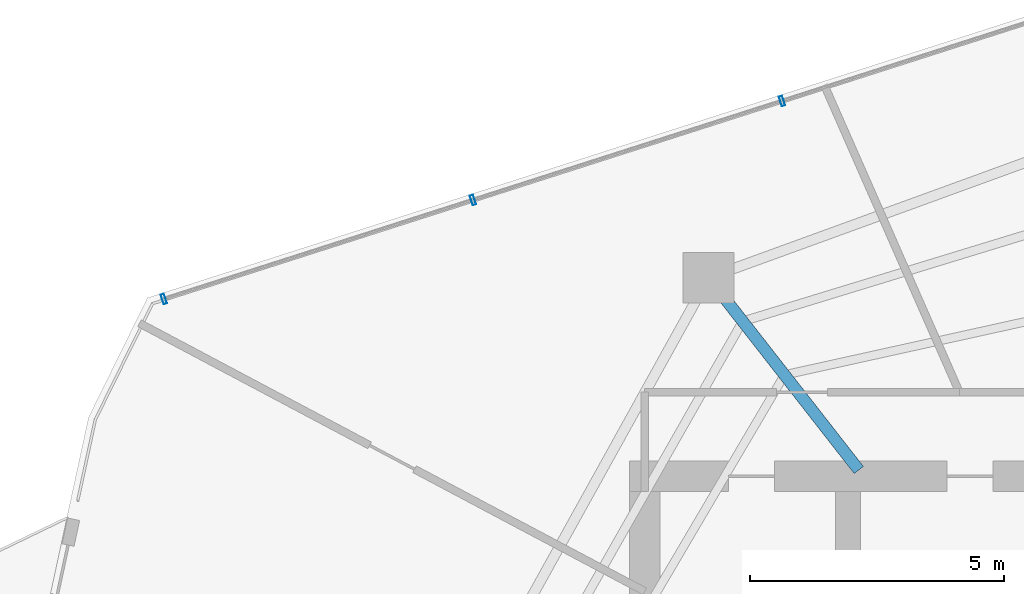
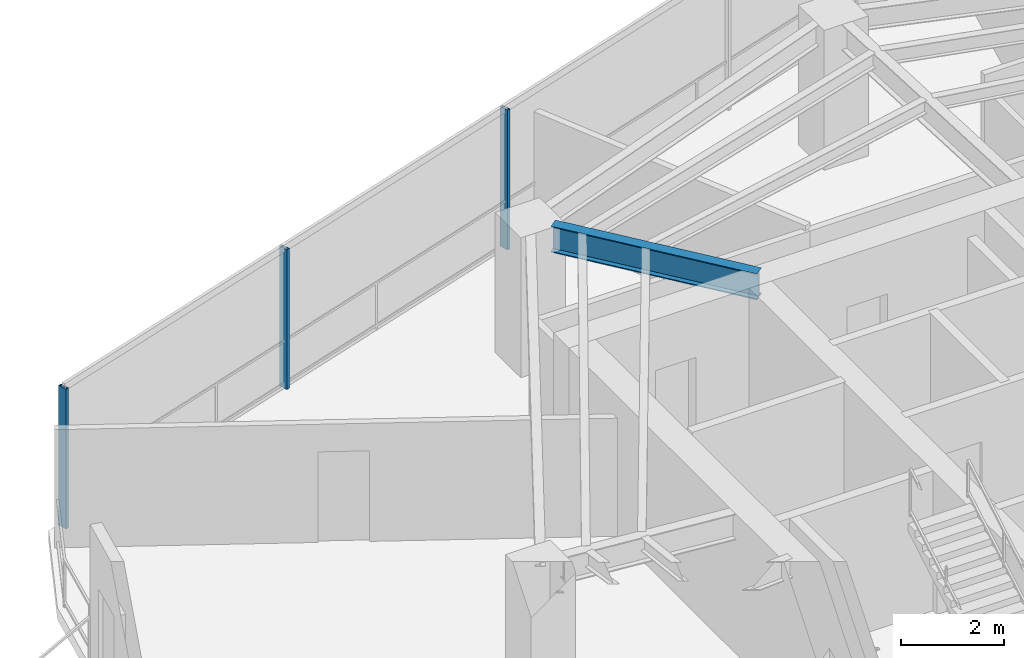
# One storey, part 12 of 21: 3 members, 1 beam, 1 element without a shape of its own.
"""IFC4 building model written with IfcOpenShell, lengths in metres."""

from ifc_helpers import new_model, si_unit, direction, frame, origin, origin_2d, place, context, subcontext, project, spatial, hollow_rectangle, i_section, extrude, material, layer, layer_set, material_profile, profile_set, type_object, element, aggregate, save


model = new_model("IFC4")

# Units and contexts
model_context = context("Model", 3, precision=1e-05, world=origin(), true_north=direction((0.0, 1.0)))
body_context = subcontext(model_context, "Body", "Model", "MODEL_VIEW")
ifc_project = project(units=[si_unit("LENGTHUNIT", "METRE"), si_unit("AREAUNIT", "SQUARE_METRE"), si_unit("VOLUMEUNIT", "CUBIC_METRE"), si_unit("PLANEANGLEUNIT", "RADIAN"), si_unit("MASSUNIT", "GRAM", prefix="KILO")], contexts=[model_context])

# Site, building, storey
site_placement = place(None, origin())
site = spatial("IfcSite", under=ifc_project, at=site_placement, CompositionType="ELEMENT")
building_placement = place(site_placement, origin())
building = spatial("IfcBuilding", under=site, at=building_placement, Name="Qarnah Convention Tower", CompositionType="ELEMENT")
storey_placement = place(building_placement, frame((0.0, 0.0, 132.89990234375)))
storey = spatial("IfcBuildingStorey", under=building, at=storey_placement, Name="L35", CompositionType="ELEMENT", Elevation=132.89990234375)

# Beam
ifc_material_1 = material(Name="Structural steel S355JR", Category="steel")
ifc_material_profile_1 = material_profile(ifc_material_1, i_section(OverallWidth=0.22998046875, OverallDepth=0.617919921875, WebThickness=0.012939453125, FlangeThickness=0.02197265625, at=origin_2d()), Name="W610X140")
ifc_profile_set_1 = profile_set([ifc_material_profile_1], Name="Structural steel S355JR")
beam_type = type_object("IfcBeamType", Name="BM-RAD-W610A", PredefinedType="BEAM", material=ifc_profile_set_1)
beam_placement = place(storey_placement, frame((31.013916015625, 34.318115234375, 3.010986328125), z_axis=(-0.615636368947, 0.788030368215, 0.0), x_axis=(-0.788030368215, -0.615636368947, 0.0)))
element("IfcBeam", 1, at=beam_placement, inside=storey, type_object=beam_type, Name="L35 beam BM-L35-RAD-04", PredefinedType="BEAM", context=body_context, shape_type="SweptSolid", body=[
    extrude(i_section(OverallWidth=0.22998046875, OverallDepth=0.617919921875, WebThickness=0.012939453125, FlangeThickness=0.02197265625, at=origin_2d()), origin(), (0.0, 0.0, 1.0), 4.322265625),
])

# Curtain wall, members
ifc_material_2 = material(Name="Tempered Low-E dark glass", Category="glass")
ifc_layer = layer(ifc_material_2, 0.172119140625)
ifc_layer_set = layer_set([ifc_layer], Name="Tempered Low-E dark glass")
curtain_wall_type = type_object("IfcCurtainWallType", Name="CWS-03", PredefinedType="NOTDEFINED", material=ifc_layer_set)
curtain_wall_placement = place(storey_placement, origin())
curtain_wall = element("IfcCurtainWall", 2, at=curtain_wall_placement, inside=storey, type_object=curtain_wall_type, Name="L35 unitised curtain wall CW-L35-F2", PredefinedType="NOTDEFINED")
ifc_material_3 = material(Name="Black anodised aluminium", Category="aluminium")
ifc_material_profile_2 = material_profile(ifc_material_3, hollow_rectangle(XDim=0.070068359375, YDim=0.199951171875, WallThickness=0.0048828125, at=origin_2d()), Name="MUL-70X200")
ifc_profile_set_2 = profile_set([ifc_material_profile_2], Name="Black anodised aluminium")
member_type = type_object("IfcMemberType", Name="MUL-T3", PredefinedType="MULLION", material=ifc_profile_set_2)
member_1_placement = place(storey_placement, frame((17.3359375, 37.68408203125, 0.0), z_axis=(0.0, 0.0, 1.0), x_axis=(0.952343406787, 0.305027925851, 0.0)))
member_1 = element("IfcMember", 3, at=member_1_placement, type_object=member_type, Name="CW-L35-F2 mullion 1", PredefinedType="MULLION", context=body_context, shape_type="SweptSolid", body=[
    extrude(hollow_rectangle(XDim=0.070068359375, YDim=0.199951171875, WallThickness=0.0048828125, at=origin_2d()), origin(), (0.0, 0.0, 1.0), 3.320068359375),
])
member_2_placement = place(storey_placement, frame((23.419189453125, 39.63232421875, 0.0), z_axis=(0.0, 0.0, 1.0), x_axis=(0.952343406787, 0.305027925851, 0.0)))
member_2 = element("IfcMember", 4, at=member_2_placement, type_object=member_type, Name="CW-L35-F2 mullion 2", PredefinedType="MULLION", context=body_context, shape_type="SweptSolid", body=[
    extrude(hollow_rectangle(XDim=0.070068359375, YDim=0.199951171875, WallThickness=0.0048828125, at=origin_2d()), origin(), (0.0, 0.0, 1.0), 3.320068359375),
])
member_3_placement = place(storey_placement, frame((29.50244140625, 41.580810546875, 0.0), z_axis=(0.0, 0.0, 1.0), x_axis=(0.952343406787, 0.305027925851, 0.0)))
member_3 = element("IfcMember", 5, at=member_3_placement, type_object=member_type, Name="CW-L35-F2 mullion 3", PredefinedType="MULLION", context=body_context, shape_type="SweptSolid", body=[
    extrude(hollow_rectangle(XDim=0.070068359375, YDim=0.199951171875, WallThickness=0.0048828125, at=origin_2d()), origin(), (0.0, 0.0, 1.0), 3.320068359375),
])
aggregate(curtain_wall, [member_1, member_2, member_3])

save(model, "model.ifc")
